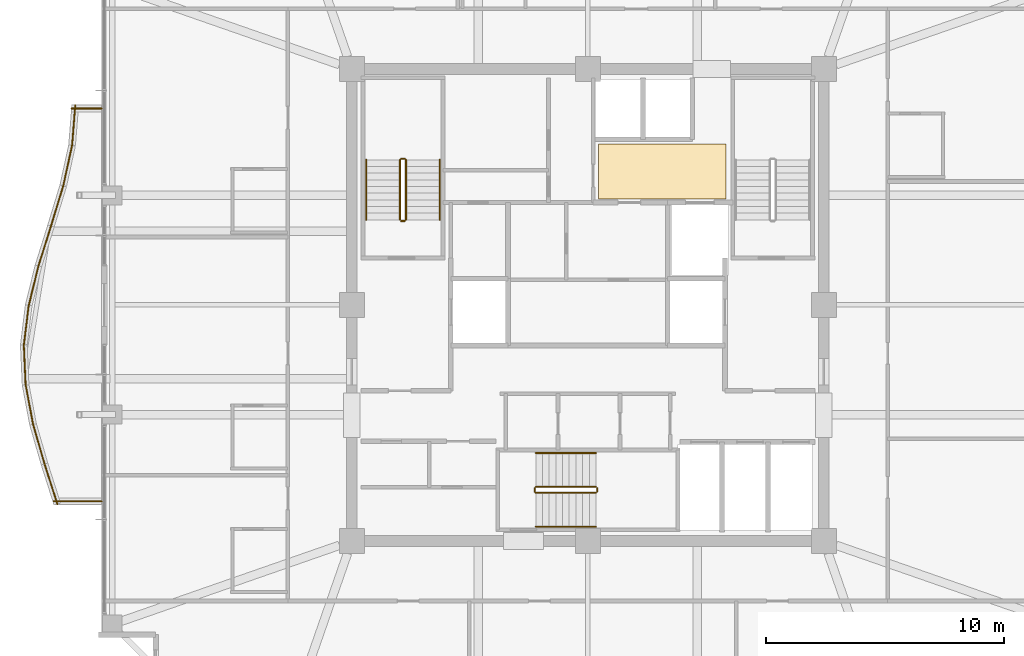
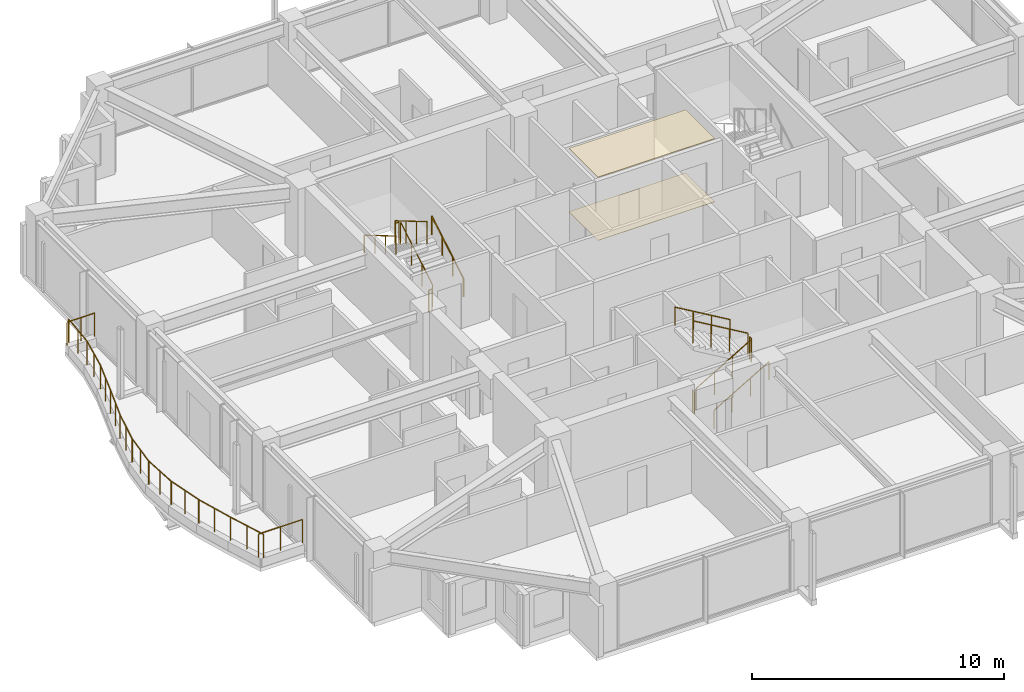
# One storey, part 32 of 33: 24 railings, 2 coverings.
"""IFC4 building model written with IfcOpenShell, lengths in metres."""

from ifc_helpers import new_model, si_unit, direction, frame, origin, origin_2d, place, context, subcontext, project, spatial, polyline, circle, outline, extrude, material, layer, layer_set, type_object, element, save


model = new_model("IFC4")

# Units and contexts
model_context = context("Model", 3, precision=1e-05, world=origin(), true_north=direction((0.0, 1.0)))
body_context = subcontext(model_context, "Body", "Model", "MODEL_VIEW")
ifc_project = project(units=[si_unit("LENGTHUNIT", "METRE"), si_unit("AREAUNIT", "SQUARE_METRE"), si_unit("VOLUMEUNIT", "CUBIC_METRE"), si_unit("PLANEANGLEUNIT", "RADIAN"), si_unit("MASSUNIT", "GRAM", prefix="KILO")], contexts=[model_context])

# Site, building, storey
site_placement = place(None, origin())
site = spatial("IfcSite", under=ifc_project, at=site_placement, CompositionType="ELEMENT")
building_placement = place(site_placement, origin())
building = spatial("IfcBuilding", under=site, at=building_placement, Name="Kolvaren Belvedere", CompositionType="ELEMENT")
storey_placement = place(building_placement, frame((0.0, 0.0, 209.699951171875)))
storey = spatial("IfcBuildingStorey", under=building, at=storey_placement, Name="L61", CompositionType="ELEMENT", Elevation=209.699951171875)

# Coverings
ifc_material_1 = material(Name="Acoustic perforated gypsum board", Category="gypsum")
ifc_layer_1 = layer(ifc_material_1, 0.02490234375)
ifc_layer_set_1 = layer_set([ifc_layer_1], Name="Acoustic perforated gypsum board")
covering_type_1 = type_object("IfcCoveringType", Name="COV-CEIL-GYP", PredefinedType="CEILING", material=ifc_layer_set_1)
covering_1_placement = place(storey_placement, frame((0.0, 0.0, 3.054931640625)))
element("IfcCovering", 1, at=covering_1_placement, inside=storey, type_object=covering_type_1, Name="L61 Lift Lobby Acoustic Baffle Ceiling", PredefinedType="CEILING", context=body_context, shape_type="SweptSolid", body=[
    extrude(outline(polyline([(0.449951171875, 4.449951171875), (5.800048828125, 4.449951171875), (5.800048828125, 6.75), (0.449951171875, 6.75), (0.449951171875, 4.449951171875)])), origin(), (0.0, 0.0, 1.0), 0.025146484375),
])
ifc_material_2 = material(Name="Engineered Pacific white oak", Category="timber")
ifc_layer_2 = layer(ifc_material_2, 0.02001953125)
ifc_layer_set_2 = layer_set([ifc_layer_2], Name="Engineered Pacific white oak")
covering_type_2 = type_object("IfcCoveringType", Name="COV-FLR-OAK", PredefinedType="FLOORING", material=ifc_layer_set_2)
covering_2_placement = place(storey_placement, origin())
element("IfcCovering", 2, at=covering_2_placement, inside=storey, type_object=covering_type_2, Name="L61 Lift Lobby Finish Flooring", PredefinedType="FLOORING", context=body_context, shape_type="SweptSolid", body=[
    extrude(outline(polyline([(0.449951171875, 4.449951171875), (5.800048828125, 4.449951171875), (5.800048828125, 6.75), (0.449951171875, 6.75), (0.449951171875, 4.449951171875)])), origin(), (0.0, 0.0, 1.0), 0.02001953125),
])

# Railings
ifc_material_3 = material(Name="Anodised pale-metal aluminium & laminated glass guard", Category="aluminium")
railing_type_1 = type_object("IfcRailingType", Name="RL-GUARD-1150", PredefinedType="GUARDRAIL", material=ifc_material_3)
railing_1_placement = place(storey_placement, frame((-21.50048828125, 8.38720703125, 0.380126953125)))
element("IfcRailing", 3, at=railing_1_placement, inside=storey, type_object=railing_type_1, Name="L61 Exterior Deck Safety Guard BAL-W-1", PredefinedType="GUARDRAIL", context=body_context, shape_type="SweptSolid", body=[
    extrude(circle(Radius=0.02392578125, at=origin_2d()), frame((0.0, 0.0, 1.1259765625), z_axis=(-0.079244268248, -0.99685522818, 0.0), x_axis=(0.99685522818, -0.079244268248, 0.0)), (0.0, 0.0, 1.0), 1.685302734375),
    extrude(circle(Radius=0.02099609375, at=origin_2d()), origin(), (0.0, 0.0, 1.0), 1.101806640625),
    extrude(circle(Radius=0.02099609375, at=origin_2d()), frame((-0.06689453125, -0.83984375, 0.0)), (0.0, 0.0, 1.0), 1.101806640625),
    extrude(circle(Radius=0.02099609375, at=origin_2d()), frame((-0.133544921875, -1.679931640625, 0.0)), (0.0, 0.0, 1.0), 1.101806640625),
])
railing_2_placement = place(storey_placement, frame((-21.63720703125, 6.685791015625, 0.380126953125)))
element("IfcRailing", 4, at=railing_2_placement, inside=storey, type_object=railing_type_1, Name="L61 Exterior Deck Safety Guard BAL-W-2", PredefinedType="GUARDRAIL", context=body_context, shape_type="SweptSolid", body=[
    extrude(circle(Radius=0.02392578125, at=origin_2d()), frame((0.0, 0.0, 1.1259765625), z_axis=(-0.213802724545, -0.976876857632, 0.0), x_axis=(0.976876857632, -0.213802724545, 0.0)), (0.0, 0.0, 1.0), 1.7197265625),
    extrude(circle(Radius=0.02099609375, at=origin_2d()), origin(), (0.0, 0.0, 1.0), 1.101806640625),
    extrude(circle(Radius=0.02099609375, at=origin_2d()), frame((-0.183837890625, -0.83984375, 0.0)), (0.0, 0.0, 1.0), 1.101806640625),
    extrude(circle(Radius=0.02099609375, at=origin_2d()), frame((-0.36767578125, -1.679931640625, 0.0)), (0.0, 0.0, 1.0), 1.101806640625),
])
railing_3_placement = place(storey_placement, frame((-22.00830078125, 4.993408203125, 0.380126953125)))
element("IfcRailing", 5, at=railing_3_placement, inside=storey, type_object=railing_type_1, Name="L61 Exterior Deck Safety Guard BAL-W-3", PredefinedType="GUARDRAIL", context=body_context, shape_type="SweptSolid", body=[
    extrude(circle(Radius=0.02392578125, at=origin_2d()), frame((0.0, 0.0, 1.1259765625), z_axis=(-0.290879426191, -0.956759718748, 0.0), x_axis=(0.956759718748, -0.290879426191, 0.0)), (0.0, 0.0, 1.0), 1.755859375),
    extrude(circle(Radius=0.02099609375, at=origin_2d()), origin(), (0.0, 0.0, 1.0), 1.101806640625),
    extrude(circle(Radius=0.02099609375, at=origin_2d()), frame((-0.25537109375, -0.83984375, 0.0)), (0.0, 0.0, 1.0), 1.101806640625),
    extrude(circle(Radius=0.02099609375, at=origin_2d()), frame((-0.5107421875, -1.679931640625, 0.0)), (0.0, 0.0, 1.0), 1.101806640625),
])
railing_4_placement = place(storey_placement, frame((-22.51953125, 3.31201171875, 0.380126953125)))
element("IfcRailing", 6, at=railing_4_placement, inside=storey, type_object=railing_type_1, Name="L61 Exterior Deck Safety Guard BAL-W-4", PredefinedType="GUARDRAIL", context=body_context, shape_type="SweptSolid", body=[
    extrude(circle(Radius=0.02392578125, at=origin_2d()), frame((0.0, 0.0, 1.1259765625), z_axis=(-0.299624691176, -0.954057149461, 0.0), x_axis=(0.954057149461, -0.299624691176, 0.0)), (0.0, 0.0, 1.0), 1.7607421875),
    extrude(circle(Radius=0.02099609375, at=origin_2d()), origin(), (0.0, 0.0, 1.0), 1.101806640625),
    extrude(circle(Radius=0.02099609375, at=origin_2d()), frame((-0.263671875, -0.83984375, 0.0)), (0.0, 0.0, 1.0), 1.101806640625),
    extrude(circle(Radius=0.02099609375, at=origin_2d()), frame((-0.527587890625, -1.679931640625, 0.0)), (0.0, 0.0, 1.0), 1.101806640625),
])
railing_5_placement = place(storey_placement, frame((-23.04443359375, 1.6416015625, 0.380126953125)))
element("IfcRailing", 7, at=railing_5_placement, inside=storey, type_object=railing_type_1, Name="L61 Exterior Deck Safety Guard BAL-W-5", PredefinedType="GUARDRAIL", context=body_context, shape_type="SweptSolid", body=[
    extrude(circle(Radius=0.02392578125, at=origin_2d()), frame((0.0, 0.0, 1.1259765625), z_axis=(-0.239180748277, -0.970975061293, 0.0), x_axis=(0.970975061293, -0.239180748277, 0.0)), (0.0, 0.0, 1.0), 1.730224609375),
    extrude(circle(Radius=0.02099609375, at=origin_2d()), origin(), (0.0, 0.0, 1.0), 1.101806640625),
    extrude(circle(Radius=0.02099609375, at=origin_2d()), frame((-0.20703125, -0.83984375, 0.0)), (0.0, 0.0, 1.0), 1.101806640625),
    extrude(circle(Radius=0.02099609375, at=origin_2d()), frame((-0.413818359375, -1.679931640625, 0.0)), (0.0, 0.0, 1.0), 1.101806640625),
])
railing_6_placement = place(storey_placement, frame((-23.454833984375, -0.01953125, 0.380126953125)))
element("IfcRailing", 8, at=railing_6_placement, inside=storey, type_object=railing_type_1, Name="L61 Exterior Deck Safety Guard BAL-W-6", PredefinedType="GUARDRAIL", context=body_context, shape_type="SweptSolid", body=[
    extrude(circle(Radius=0.02392578125, at=origin_2d()), frame((0.0, 0.0, 1.1259765625), z_axis=(-0.121886315522, -0.99254406758, 0.0), x_axis=(0.99254406758, -0.121886315522, 0.0)), (0.0, 0.0, 1.0), 1.692626953125),
    extrude(circle(Radius=0.02099609375, at=origin_2d()), origin(), (0.0, 0.0, 1.0), 1.101806640625),
    extrude(circle(Radius=0.02099609375, at=origin_2d()), frame((-0.10302734375, -0.83984375, 0.0)), (0.0, 0.0, 1.0), 1.101806640625),
    extrude(circle(Radius=0.02099609375, at=origin_2d()), frame((-0.206298828125, -1.679931640625, 0.0)), (0.0, 0.0, 1.0), 1.101806640625),
])
railing_7_placement = place(storey_placement, frame((-23.66015625, -1.6728515625, 0.380126953125)))
element("IfcRailing", 9, at=railing_7_placement, inside=storey, type_object=railing_type_1, Name="L61 Exterior Deck Safety Guard BAL-W-7", PredefinedType="GUARDRAIL", context=body_context, shape_type="SweptSolid", body=[
    extrude(circle(Radius=0.02392578125, at=origin_2d()), frame((0.0, 0.0, 1.1259765625), z_axis=(0.045005941428, -0.998986719249, 0.0), x_axis=(0.998986719249, 0.045005941428, 0.0)), (0.0, 0.0, 1.0), 1.681640625),
    extrude(circle(Radius=0.02099609375, at=origin_2d()), origin(), (0.0, 0.0, 1.0), 1.101806640625),
    extrude(circle(Radius=0.02099609375, at=origin_2d()), frame((0.037841796875, -0.83984375, 0.0)), (0.0, 0.0, 1.0), 1.101806640625),
    extrude(circle(Radius=0.02099609375, at=origin_2d()), frame((0.07568359375, -1.679931640625, 0.0)), (0.0, 0.0, 1.0), 1.101806640625),
])
railing_8_placement = place(storey_placement, frame((-23.5869140625, -3.330322265625, 0.380126953125)))
element("IfcRailing", 10, at=railing_8_placement, inside=storey, type_object=railing_type_1, Name="L61 Exterior Deck Safety Guard BAL-W-8", PredefinedType="GUARDRAIL", context=body_context, shape_type="SweptSolid", body=[
    extrude(circle(Radius=0.02392578125, at=origin_2d()), frame((0.0, 0.0, 1.1259765625), z_axis=(0.184650661912, -0.982804219087, 0.0), x_axis=(0.982804219087, 0.184650661912, 0.0)), (0.0, 0.0, 1.0), 1.70947265625),
    extrude(circle(Radius=0.02099609375, at=origin_2d()), origin(), (0.0, 0.0, 1.0), 1.101806640625),
    extrude(circle(Radius=0.02099609375, at=origin_2d()), frame((0.15771484375, -0.840087890625, 0.0)), (0.0, 0.0, 1.0), 1.101806640625),
    extrude(circle(Radius=0.02099609375, at=origin_2d()), frame((0.315673828125, -1.68017578125, 0.0)), (0.0, 0.0, 1.0), 1.101806640625),
])
railing_9_placement = place(storey_placement, frame((-23.274658203125, -4.99560546875, 0.380126953125)))
element("IfcRailing", 11, at=railing_9_placement, inside=storey, type_object=railing_type_1, Name="L61 Exterior Deck Safety Guard BAL-W-9", PredefinedType="GUARDRAIL", context=body_context, shape_type="SweptSolid", body=[
    extrude(circle(Radius=0.02392578125, at=origin_2d()), frame((0.0, 0.0, 1.1259765625), z_axis=(0.277817391164, -0.960633903819, 0.0), x_axis=(0.960633903819, 0.277817391164, 0.0)), (0.0, 0.0, 1.0), 1.748779296875),
    extrude(circle(Radius=0.02099609375, at=origin_2d()), origin(), (0.0, 0.0, 1.0), 1.101806640625),
    extrude(circle(Radius=0.02099609375, at=origin_2d()), frame((0.242919921875, -0.83984375, 0.0)), (0.0, 0.0, 1.0), 1.101806640625),
    extrude(circle(Radius=0.02099609375, at=origin_2d()), frame((0.48583984375, -1.679931640625, 0.0)), (0.0, 0.0, 1.0), 1.101806640625),
])
railing_10_placement = place(storey_placement, frame((-22.7900390625, -6.67138671875, 0.380126953125)))
element("IfcRailing", 12, at=railing_10_placement, inside=storey, type_object=railing_type_1, Name="L61 Exterior Deck Safety Guard BAL-W-10", PredefinedType="GUARDRAIL", context=body_context, shape_type="SweptSolid", body=[
    extrude(circle(Radius=0.02392578125, at=origin_2d()), frame((0.0, 0.0, 1.1259765625), z_axis=(0.304032153573, -0.952661770826, 0.0), x_axis=(0.952661770826, 0.304032153573, 0.0)), (0.0, 0.0, 1.0), 1.763427734375),
    extrude(circle(Radius=0.02099609375, at=origin_2d()), origin(), (0.0, 0.0, 1.0), 1.101806640625),
    extrude(circle(Radius=0.02099609375, at=origin_2d()), frame((0.26806640625, -0.83984375, 0.0)), (0.0, 0.0, 1.0), 1.101806640625),
    extrude(circle(Radius=0.02099609375, at=origin_2d()), frame((0.5361328125, -1.679931640625, 0.0)), (0.0, 0.0, 1.0), 1.101806640625),
])
railing_11_placement = place(storey_placement, frame((-22.40625, -8.239990234375, 0.380126953125)))
element("IfcRailing", 13, at=railing_11_placement, inside=storey, type_object=railing_type_1, Name="L61 Exterior Deck Safety Guard BAL-W-11", PredefinedType="GUARDRAIL", context=body_context, shape_type="SweptSolid", body=[
    extrude(circle(Radius=0.02392578125, at=origin_2d()), frame((0.0, 0.0, 1.1259765625), z_axis=(1.0, 0.0, 0.0), x_axis=(0.0, 1.0, 0.0)), (0.0, 0.0, 1.0), 2.00634765625),
    extrude(circle(Radius=0.02099609375, at=origin_2d()), origin(), (0.0, 0.0, 1.0), 1.101806640625),
    extrude(circle(Radius=0.02099609375, at=origin_2d()), frame((1.003173828125, 0.0, 0.0)), (0.0, 0.0, 1.0), 1.101806640625),
    extrude(circle(Radius=0.02099609375, at=origin_2d()), frame((2.00634765625, 0.0, 0.0)), (0.0, 0.0, 1.0), 1.101806640625),
])
railing_12_placement = place(storey_placement, frame((-20.39990234375, 8.239990234375, 0.380126953125)))
element("IfcRailing", 14, at=railing_12_placement, inside=storey, type_object=railing_type_1, Name="L61 Exterior Deck Safety Guard BAL-W-22", PredefinedType="GUARDRAIL", context=body_context, shape_type="SweptSolid", body=[
    extrude(circle(Radius=0.02392578125, at=origin_2d()), frame((0.0, 0.0, 1.1259765625), z_axis=(-1.0, 0.0, 0.0), x_axis=(0.0, -1.0, 0.0)), (0.0, 0.0, 1.0), 1.260009765625),
    extrude(circle(Radius=0.02099609375, at=origin_2d()), origin(), (0.0, 0.0, 1.0), 1.101806640625),
    extrude(circle(Radius=0.02099609375, at=origin_2d()), frame((-0.6298828125, 0.0, 0.0)), (0.0, 0.0, 1.0), 1.101806640625),
    extrude(circle(Radius=0.02099609375, at=origin_2d()), frame((-1.260009765625, 0.0, 0.0)), (0.0, 0.0, 1.0), 1.101806640625),
])
ifc_material_4 = material(Name="Brushed stainless-steel handrail", Category="steel")
railing_type_2 = type_object("IfcRailingType", Name="RL-HANDRAIL-920", PredefinedType="HANDRAIL", material=ifc_material_4)
railing_13_placement = place(storey_placement, frame((-6.2099609375, 3.570068359375, 0.1650390625)))
element("IfcRailing", 15, at=railing_13_placement, inside=storey, type_object=railing_type_2, Name="L61 ST-1 stair handrail 1", PredefinedType="HANDRAIL", context=body_context, shape_type="SweptSolid", body=[
    extrude(circle(Radius=0.02392578125, at=origin_2d()), frame((0.0, 0.0, 0.8759765625), z_axis=(0.0, 0.86152411907, 0.507716645641), x_axis=(-1.0, 0.0, 0.0)), (0.0, 0.0, 1.0), 2.925048828125),
    extrude(circle(Radius=0.02099609375, at=origin_2d()), origin(), (0.0, 0.0, 1.0), 0.851806640625),
    extrude(circle(Radius=0.02099609375, at=origin_2d()), frame((0.0, 0.840087890625, 0.4951171875)), (0.0, 0.0, 1.0), 0.851806640625),
    extrude(circle(Radius=0.02099609375, at=origin_2d()), frame((0.0, 1.679931640625, 0.989990234375)), (0.0, 0.0, 1.0), 0.851806640625),
    extrude(circle(Radius=0.02099609375, at=origin_2d()), frame((0.0, 2.52001953125, 1.485107421875)), (0.0, 0.0, 1.0), 0.851806640625),
])
railing_14_placement = place(storey_placement, frame((-9.300048828125, 6.090087890625, 1.81494140625)))
element("IfcRailing", 16, at=railing_14_placement, inside=storey, type_object=railing_type_2, Name="L61 ST-1 stair handrail 2", PredefinedType="HANDRAIL", context=body_context, shape_type="SweptSolid", body=[
    extrude(circle(Radius=0.02392578125, at=origin_2d()), frame((0.0, 0.0, 0.8759765625), z_axis=(0.0, -0.86152411907, 0.507716645641), x_axis=(1.0, 0.0, 0.0)), (0.0, 0.0, 1.0), 2.925048828125),
    extrude(circle(Radius=0.02099609375, at=origin_2d()), origin(), (0.0, 0.0, 1.0), 0.851806640625),
    extrude(circle(Radius=0.02099609375, at=origin_2d()), frame((0.0, -0.840087890625, 0.4951171875)), (0.0, 0.0, 1.0), 0.851806640625),
    extrude(circle(Radius=0.02099609375, at=origin_2d()), frame((0.0, -1.679931640625, 0.989990234375)), (0.0, 0.0, 1.0), 0.851806640625),
    extrude(circle(Radius=0.02099609375, at=origin_2d()), frame((0.0, -2.52001953125, 1.485107421875)), (0.0, 0.0, 1.0), 0.851806640625),
])
railing_15_placement = place(storey_placement, frame((-2.179931640625, -9.300048828125, 0.1650390625)))
element("IfcRailing", 17, at=railing_15_placement, inside=storey, type_object=railing_type_2, Name="L61 ST-3 stair handrail 1", PredefinedType="HANDRAIL", context=body_context, shape_type="SweptSolid", body=[
    extrude(circle(Radius=0.02392578125, at=origin_2d()), frame((0.0, 0.0, 0.8759765625), z_axis=(0.86152411907, 0.0, 0.507716645641), x_axis=(0.0, 1.0, 0.0)), (0.0, 0.0, 1.0), 2.925048828125),
    extrude(circle(Radius=0.02099609375, at=origin_2d()), origin(), (0.0, 0.0, 1.0), 0.851806640625),
    extrude(circle(Radius=0.02099609375, at=origin_2d()), frame((0.840087890625, 0.0, 0.4951171875)), (0.0, 0.0, 1.0), 0.851806640625),
    extrude(circle(Radius=0.02099609375, at=origin_2d()), frame((1.679931640625, 0.0, 0.989990234375)), (0.0, 0.0, 1.0), 0.851806640625),
    extrude(circle(Radius=0.02099609375, at=origin_2d()), frame((2.52001953125, 0.0, 1.485107421875)), (0.0, 0.0, 1.0), 0.851806640625),
])
railing_16_placement = place(storey_placement, frame((0.340087890625, -6.2099609375, 1.81494140625)))
element("IfcRailing", 18, at=railing_16_placement, inside=storey, type_object=railing_type_2, Name="L61 ST-3 stair handrail 2", PredefinedType="HANDRAIL", context=body_context, shape_type="SweptSolid", body=[
    extrude(circle(Radius=0.02392578125, at=origin_2d()), frame((0.0, 0.0, 0.8759765625), z_axis=(-0.86152411907, 0.0, 0.507716645641), x_axis=(0.0, -1.0, 0.0)), (0.0, 0.0, 1.0), 2.925048828125),
    extrude(circle(Radius=0.02099609375, at=origin_2d()), origin(), (0.0, 0.0, 1.0), 0.851806640625),
    extrude(circle(Radius=0.02099609375, at=origin_2d()), frame((-0.840087890625, 0.0, 0.4951171875)), (0.0, 0.0, 1.0), 0.851806640625),
    extrude(circle(Radius=0.02099609375, at=origin_2d()), frame((-1.679931640625, 0.0, 0.989990234375)), (0.0, 0.0, 1.0), 0.851806640625),
    extrude(circle(Radius=0.02099609375, at=origin_2d()), frame((-2.52001953125, 0.0, 1.485107421875)), (0.0, 0.0, 1.0), 0.851806640625),
])
ifc_material_5 = material(Name="Painted tubular steel stair guard", Category="steel")
railing_type_3 = type_object("IfcRailingType", Name="RL-STGUARD-1100", PredefinedType="GUARDRAIL", material=ifc_material_5)
railing_17_placement = place(storey_placement, frame((-7.6298828125, 3.570068359375, 0.1650390625)))
element("IfcRailing", 19, at=railing_17_placement, inside=storey, type_object=railing_type_3, Name="L61 ST-1 stair guard 1", PredefinedType="GUARDRAIL", context=body_context, shape_type="SweptSolid", body=[
    extrude(circle(Radius=0.02392578125, at=origin_2d()), frame((0.0, 0.0, 1.076171875), z_axis=(0.0, 0.86152411907, 0.507716645641), x_axis=(-1.0, 0.0, 0.0)), (0.0, 0.0, 1.0), 2.925048828125),
    extrude(circle(Radius=0.02099609375, at=origin_2d()), origin(), (0.0, 0.0, 1.0), 1.052001953125),
    extrude(circle(Radius=0.02099609375, at=origin_2d()), frame((0.0, 0.840087890625, 0.4951171875)), (0.0, 0.0, 1.0), 1.052001953125),
    extrude(circle(Radius=0.02099609375, at=origin_2d()), frame((0.0, 1.679931640625, 0.989990234375)), (0.0, 0.0, 1.0), 1.052001953125),
    extrude(circle(Radius=0.02099609375, at=origin_2d()), frame((0.0, 2.52001953125, 1.485107421875)), (0.0, 0.0, 1.0), 1.052001953125),
])
railing_18_placement = place(storey_placement, frame((-7.679931640625, 6.139892578125, 1.650146484375)))
element("IfcRailing", 20, at=railing_18_placement, inside=storey, type_object=railing_type_3, Name="L61 ST-1 stair guard 2", PredefinedType="GUARDRAIL", context=body_context, shape_type="SweptSolid", body=[
    extrude(circle(Radius=0.02392578125, at=origin_2d()), frame((0.0, 0.0, 1.076171875), z_axis=(-1.0, 0.0, 0.0), x_axis=(0.0, -1.0, 0.0)), (0.0, 0.0, 1.0), 0.150146484375),
    extrude(circle(Radius=0.02099609375, at=origin_2d()), origin(), (0.0, 0.0, 1.0), 1.052001953125),
    extrude(circle(Radius=0.02099609375, at=origin_2d()), frame((-0.150146484375, 0.0, 0.0)), (0.0, 0.0, 1.0), 1.052001953125),
])
railing_19_placement = place(storey_placement, frame((-7.8798828125, 6.090087890625, 1.81494140625)))
element("IfcRailing", 21, at=railing_19_placement, inside=storey, type_object=railing_type_3, Name="L61 ST-1 stair guard 3", PredefinedType="GUARDRAIL", context=body_context, shape_type="SweptSolid", body=[
    extrude(circle(Radius=0.02392578125, at=origin_2d()), frame((0.0, 0.0, 1.076171875), z_axis=(0.0, -0.86152411907, 0.507716645641), x_axis=(1.0, 0.0, 0.0)), (0.0, 0.0, 1.0), 2.925048828125),
    extrude(circle(Radius=0.02099609375, at=origin_2d()), origin(), (0.0, 0.0, 1.0), 1.052001953125),
    extrude(circle(Radius=0.02099609375, at=origin_2d()), frame((0.0, -0.840087890625, 0.4951171875)), (0.0, 0.0, 1.0), 1.052001953125),
    extrude(circle(Radius=0.02099609375, at=origin_2d()), frame((0.0, -1.679931640625, 0.989990234375)), (0.0, 0.0, 1.0), 1.052001953125),
    extrude(circle(Radius=0.02099609375, at=origin_2d()), frame((0.0, -2.52001953125, 1.485107421875)), (0.0, 0.0, 1.0), 1.052001953125),
])
railing_20_placement = place(storey_placement, frame((-7.679931640625, 3.52001953125, 0.0)))
element("IfcRailing", 22, at=railing_20_placement, inside=storey, type_object=railing_type_3, Name="L61 ST-1 stair guard 4", PredefinedType="GUARDRAIL", context=body_context, shape_type="SweptSolid", body=[
    extrude(circle(Radius=0.02392578125, at=origin_2d()), frame((0.0, 0.0, 1.076171875), z_axis=(-1.0, 0.0, 0.0), x_axis=(0.0, -1.0, 0.0)), (0.0, 0.0, 1.0), 0.150146484375),
    extrude(circle(Radius=0.02099609375, at=origin_2d()), origin(), (0.0, 0.0, 1.0), 1.052001953125),
    extrude(circle(Radius=0.02099609375, at=origin_2d()), frame((-0.150146484375, 0.0, 0.0)), (0.0, 0.0, 1.0), 1.052001953125),
])
railing_21_placement = place(storey_placement, frame((-2.179931640625, -7.8798828125, 0.1650390625)))
element("IfcRailing", 23, at=railing_21_placement, inside=storey, type_object=railing_type_3, Name="L61 ST-3 stair guard 1", PredefinedType="GUARDRAIL", context=body_context, shape_type="SweptSolid", body=[
    extrude(circle(Radius=0.02392578125, at=origin_2d()), frame((0.0, 0.0, 1.076171875), z_axis=(0.86152411907, 0.0, 0.507716645641), x_axis=(0.0, 1.0, 0.0)), (0.0, 0.0, 1.0), 2.925048828125),
    extrude(circle(Radius=0.02099609375, at=origin_2d()), origin(), (0.0, 0.0, 1.0), 1.052001953125),
    extrude(circle(Radius=0.02099609375, at=origin_2d()), frame((0.840087890625, 0.0, 0.4951171875)), (0.0, 0.0, 1.0), 1.052001953125),
    extrude(circle(Radius=0.02099609375, at=origin_2d()), frame((1.679931640625, 0.0, 0.989990234375)), (0.0, 0.0, 1.0), 1.052001953125),
    extrude(circle(Radius=0.02099609375, at=origin_2d()), frame((2.52001953125, 0.0, 1.485107421875)), (0.0, 0.0, 1.0), 1.052001953125),
])
railing_22_placement = place(storey_placement, frame((0.389892578125, -7.830078125, 1.650146484375)))
element("IfcRailing", 24, at=railing_22_placement, inside=storey, type_object=railing_type_3, Name="L61 ST-3 stair guard 2", PredefinedType="GUARDRAIL", context=body_context, shape_type="SweptSolid", body=[
    extrude(circle(Radius=0.02392578125, at=origin_2d()), frame((0.0, 0.0, 1.076171875), z_axis=(0.0, 1.0, 0.0), x_axis=(-1.0, 0.0, 0.0)), (0.0, 0.0, 1.0), 0.150146484375),
    extrude(circle(Radius=0.02099609375, at=origin_2d()), origin(), (0.0, 0.0, 1.0), 1.052001953125),
    extrude(circle(Radius=0.02099609375, at=origin_2d()), frame((0.0, 0.150146484375, 0.0)), (0.0, 0.0, 1.0), 1.052001953125),
])
railing_23_placement = place(storey_placement, frame((0.340087890625, -7.6298828125, 1.81494140625)))
element("IfcRailing", 25, at=railing_23_placement, inside=storey, type_object=railing_type_3, Name="L61 ST-3 stair guard 3", PredefinedType="GUARDRAIL", context=body_context, shape_type="SweptSolid", body=[
    extrude(circle(Radius=0.02392578125, at=origin_2d()), frame((0.0, 0.0, 1.076171875), z_axis=(-0.86152411907, 0.0, 0.507716645641), x_axis=(0.0, -1.0, 0.0)), (0.0, 0.0, 1.0), 2.925048828125),
    extrude(circle(Radius=0.02099609375, at=origin_2d()), origin(), (0.0, 0.0, 1.0), 1.052001953125),
    extrude(circle(Radius=0.02099609375, at=origin_2d()), frame((-0.840087890625, 0.0, 0.4951171875)), (0.0, 0.0, 1.0), 1.052001953125),
    extrude(circle(Radius=0.02099609375, at=origin_2d()), frame((-1.679931640625, 0.0, 0.989990234375)), (0.0, 0.0, 1.0), 1.052001953125),
    extrude(circle(Radius=0.02099609375, at=origin_2d()), frame((-2.52001953125, 0.0, 1.485107421875)), (0.0, 0.0, 1.0), 1.052001953125),
])
railing_24_placement = place(storey_placement, frame((-2.22998046875, -7.830078125, 0.0)))
element("IfcRailing", 26, at=railing_24_placement, inside=storey, type_object=railing_type_3, Name="L61 ST-3 stair guard 4", PredefinedType="GUARDRAIL", context=body_context, shape_type="SweptSolid", body=[
    extrude(circle(Radius=0.02392578125, at=origin_2d()), frame((0.0, 0.0, 1.076171875), z_axis=(0.0, 1.0, 0.0), x_axis=(-1.0, 0.0, 0.0)), (0.0, 0.0, 1.0), 0.150146484375),
    extrude(circle(Radius=0.02099609375, at=origin_2d()), origin(), (0.0, 0.0, 1.0), 1.052001953125),
    extrude(circle(Radius=0.02099609375, at=origin_2d()), frame((0.0, 0.150146484375, 0.0)), (0.0, 0.0, 1.0), 1.052001953125),
])

save(model, "model.ifc")
